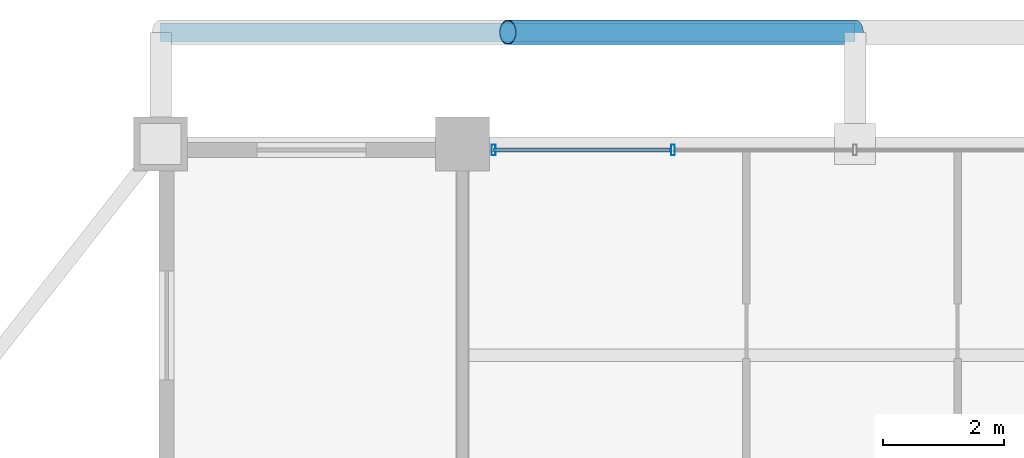
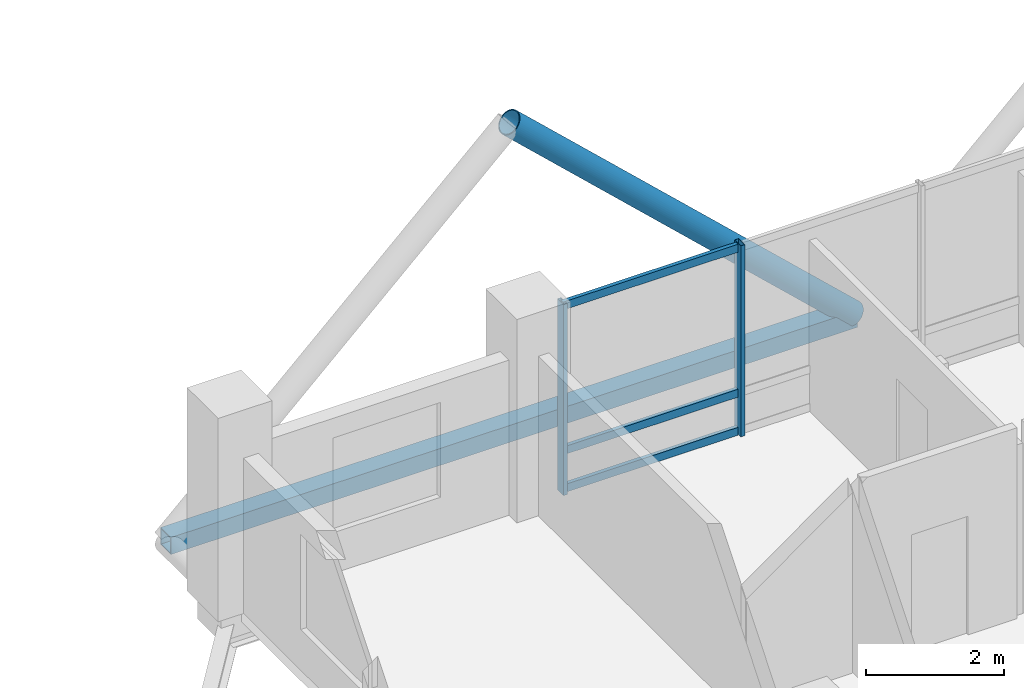
# One storey, part 15 of 25: 7 members, 1 element without a shape of its own.
"""IFC4 building model written with IfcOpenShell, lengths in metres."""

from ifc_helpers import new_model, si_unit, direction, frame, origin, origin_2d, place, context, subcontext, project, spatial, hollow_rectangle, hollow_circle, extrude, material, layer, layer_set, material_profile, profile_set, type_object, element, aggregate, save


model = new_model("IFC4")

# Units and contexts
model_context = context("Model", 3, precision=1e-05, world=origin(), true_north=direction((0.0, 1.0)))
body_context = subcontext(model_context, "Body", "Model", "MODEL_VIEW")
ifc_project = project(units=[si_unit("LENGTHUNIT", "METRE"), si_unit("AREAUNIT", "SQUARE_METRE"), si_unit("VOLUMEUNIT", "CUBIC_METRE"), si_unit("PLANEANGLEUNIT", "RADIAN"), si_unit("MASSUNIT", "GRAM", prefix="KILO")], contexts=[model_context])

# Site, building, storey
site_placement = place(None, origin())
site = spatial("IfcSite", under=ifc_project, at=site_placement, CompositionType="ELEMENT")
building_placement = place(site_placement, origin())
building = spatial("IfcBuilding", under=site, at=building_placement, Name="Barlavira Tower and Art Museum", CompositionType="ELEMENT")
storey_placement = place(building_placement, frame((0.0, 0.0, 229.5)))
storey = spatial("IfcBuildingStorey", under=building, at=storey_placement, Name="L59", CompositionType="ELEMENT", Elevation=229.5)

# Curtain wall, members
ifc_material_1 = material(Name="Low-iron coastal laminated glass", Category="glass")
ifc_layer = layer(ifc_material_1, 0.2099609375, Name="Low-iron coastal laminated glass")
ifc_layer_set = layer_set([ifc_layer], Name="Low-iron coastal laminated glass")
curtain_wall_type = type_object("IfcCurtainWallType", Name="Pale-Metal Unitised Curtain Wall Zone 4", PredefinedType="NOTDEFINED", material=ifc_layer_set)
curtain_wall_placement = place(storey_placement, origin())
curtain_wall = element("IfcCurtainWall", 1, at=curtain_wall_placement, inside=storey, type_object=curtain_wall_type, Name="L59 Curtain Wall CW4-L59-N-B2", PredefinedType="NOTDEFINED")
ifc_material_2 = material(Name="Pale anodised aluminium", Category="aluminium")
ifc_material_profile_1 = material_profile(ifc_material_2, hollow_rectangle(XDim=0.06494140625, YDim=0.179931640625, WallThickness=0.00390625, at=origin_2d()), Name="ALU-MULL 65x180x4")
ifc_profile_set_1 = profile_set([ifc_material_profile_1], Name="Pale anodised aluminium")
member_type_1 = type_object("IfcMemberType", Name="Curtain Wall Pale-Metal Mullion 65x180", PredefinedType="MULLION", material=ifc_profile_set_1)
member_1_placement = place(storey_placement, frame((-3.014892578125, 19.89990234375, 0.0), z_axis=(0.0, 0.0, 1.0), x_axis=(-1.0, 0.0, 0.0)))
member_1 = element("IfcMember", 2, at=member_1_placement, type_object=member_type_1, Name="CW4-L59-N-B2 Mullion 3", PredefinedType="MULLION", context=body_context, shape_type="SweptSolid", body=[
    extrude(hollow_rectangle(XDim=0.06494140625, YDim=0.179931640625, WallThickness=0.00390625, at=origin_2d()), origin(), (0.0, 0.0, 1.0), 3.3798828125),
])
member_2_placement = place(storey_placement, frame((-5.985107421875, 19.89990234375, 0.0), z_axis=(0.0, 0.0, 1.0), x_axis=(-1.0, 0.0, 0.0)))
member_2 = element("IfcMember", 3, at=member_2_placement, type_object=member_type_1, Name="CW4-L59-N-B2 Mullion 4", PredefinedType="MULLION", context=body_context, shape_type="SweptSolid", body=[
    extrude(hollow_rectangle(XDim=0.06494140625, YDim=0.179931640625, WallThickness=0.00390625, at=origin_2d()), origin(), (0.0, 0.0, 1.0), 3.3798828125),
])
ifc_material_profile_2 = material_profile(ifc_material_2, hollow_rectangle(XDim=0.06494140625, YDim=0.139892578125, WallThickness=0.00390625, at=origin_2d()), Name="ALU-TRAN 65x140x4")
ifc_profile_set_2 = profile_set([ifc_material_profile_2], Name="Pale anodised aluminium")
member_type_2 = type_object("IfcMemberType", Name="Curtain Wall Pale-Metal Transom 65x140", PredefinedType="USERDEFINED", material=ifc_profile_set_2)
member_3_placement = place(storey_placement, frame((-3.06005859375, 19.89990234375, 0.070068359375), z_axis=(-1.0, 0.0, 0.0), x_axis=(0.0, -1.0, 0.0)))
member_3 = element("IfcMember", 4, at=member_3_placement, type_object=member_type_2, Name="CW4-L59-N-B2 Transom 3.1", ObjectType="TRANSOM", PredefinedType="USERDEFINED", context=body_context, shape_type="SweptSolid", body=[
    extrude(hollow_rectangle(XDim=0.06494140625, YDim=0.139892578125, WallThickness=0.00390625, at=origin_2d()), origin(), (0.0, 0.0, 1.0), 2.925048828125),
])
member_4_placement = place(storey_placement, frame((-3.06005859375, 19.89990234375, 0.743896484375), z_axis=(-1.0, 0.0, 0.0), x_axis=(0.0, -1.0, 0.0)))
member_4 = element("IfcMember", 5, at=member_4_placement, type_object=member_type_2, Name="CW4-L59-N-B2 Transom 3.2", ObjectType="TRANSOM", PredefinedType="USERDEFINED", context=body_context, shape_type="SweptSolid", body=[
    extrude(hollow_rectangle(XDim=0.06494140625, YDim=0.139892578125, WallThickness=0.00390625, at=origin_2d()), origin(), (0.0, 0.0, 1.0), 2.925048828125),
])
member_5_placement = place(storey_placement, frame((-3.06005859375, 19.89990234375, 3.31005859375), z_axis=(-1.0, 0.0, 0.0), x_axis=(0.0, -1.0, 0.0)))
member_5 = element("IfcMember", 6, at=member_5_placement, type_object=member_type_2, Name="CW4-L59-N-B2 Transom 3.3", ObjectType="TRANSOM", PredefinedType="USERDEFINED", context=body_context, shape_type="SweptSolid", body=[
    extrude(hollow_rectangle(XDim=0.06494140625, YDim=0.139892578125, WallThickness=0.00390625, at=origin_2d()), origin(), (0.0, 0.0, 1.0), 2.925048828125),
])
aggregate(curtain_wall, [member_1, member_2, member_3, member_4, member_5])

# Members
ifc_material_3 = material(Name="Steel S355", Category="steel")
ifc_material_profile_3 = material_profile(ifc_material_3, hollow_circle(Radius=0.203125, WallThickness=0.01611328125, at=origin_2d()), Name="CHS 406.4x16.0")
ifc_profile_set_3 = profile_set([ifc_material_profile_3], Name="Steel S355")
member_type_3 = type_object("IfcMemberType", Name="Pale-Metal Exoskeleton Diagrid Tube CHS 406x16 Steel S355", PredefinedType="BRACE", material=ifc_profile_set_3)
member_6_placement = place(storey_placement, frame((0.0, 21.85009765625, -0.1201171875), z_axis=(-0.728934650808, 0.0, 0.684583285548), x_axis=(0.0, -1.0, 0.0)))
element("IfcMember", 7, at=member_6_placement, inside=storey, type_object=member_type_3, Name="L59 Exoskeleton Diagrid Tube N", PredefinedType="BRACE", context=body_context, shape_type="SweptSolid", body=[
    extrude(hollow_circle(Radius=0.203125, WallThickness=0.01611328125, at=origin_2d()), origin(), (0.0, 0.0, 1.0), 7.88818359375),
])
ifc_material_profile_4 = material_profile(ifc_material_3, hollow_rectangle(XDim=0.300048828125, YDim=0.300048828125, WallThickness=0.01611328125, at=origin_2d()), Name="SHS 300x300x16.0")
ifc_profile_set_4 = profile_set([ifc_material_profile_4], Name="Steel S355")
member_type_4 = type_object("IfcMemberType", Name="Pale-Metal Upper Ring Strut SHS 300x300x16 Steel S355", PredefinedType="STRUT", material=ifc_profile_set_4)
member_7_placement = place(storey_placement, frame((-11.5, 21.85009765625, -0.1201171875), z_axis=(1.0, 0.0, 0.0), x_axis=(0.0, 1.0, 0.0)))
element("IfcMember", 8, at=member_7_placement, inside=storey, type_object=member_type_4, Name="L59 Exoskeleton Ring Strut N", PredefinedType="STRUT", context=body_context, shape_type="SweptSolid", body=[
    extrude(hollow_rectangle(XDim=0.300048828125, YDim=0.300048828125, WallThickness=0.01611328125, at=origin_2d()), origin(), (0.0, 0.0, 1.0), 11.5),
])

save(model, "model.ifc")
